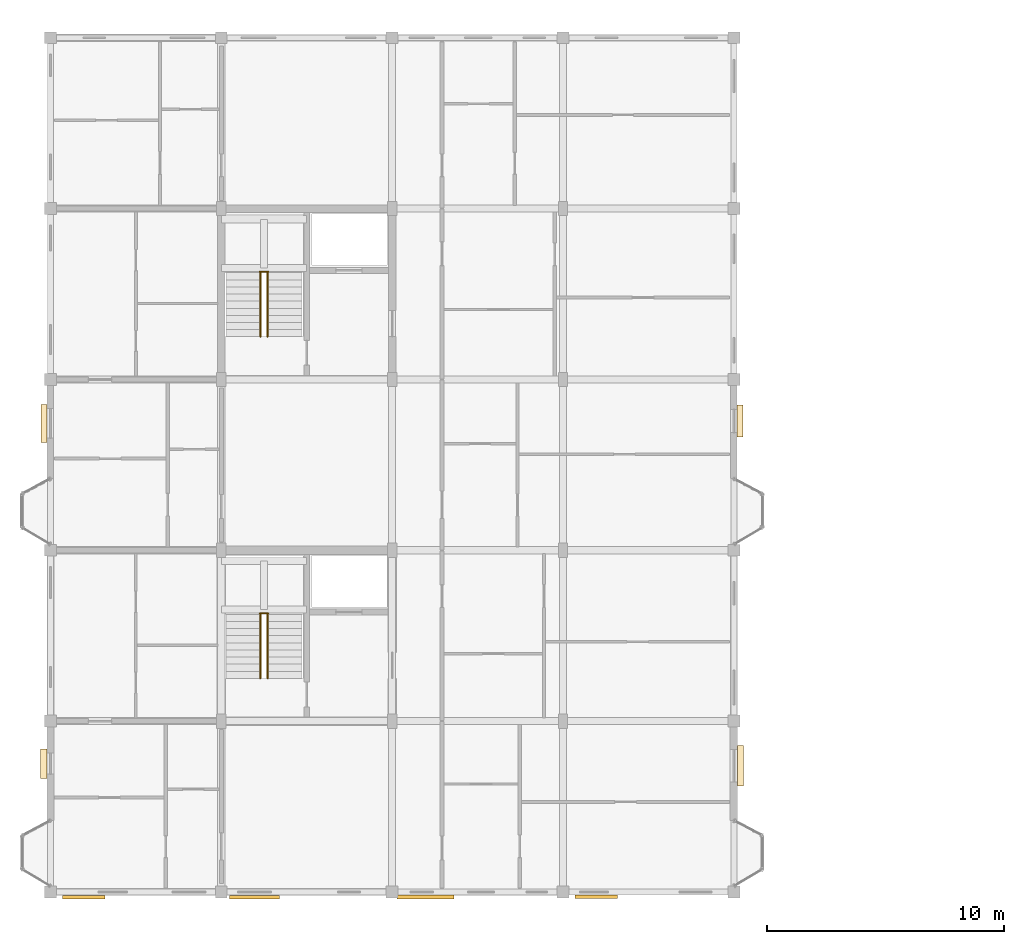
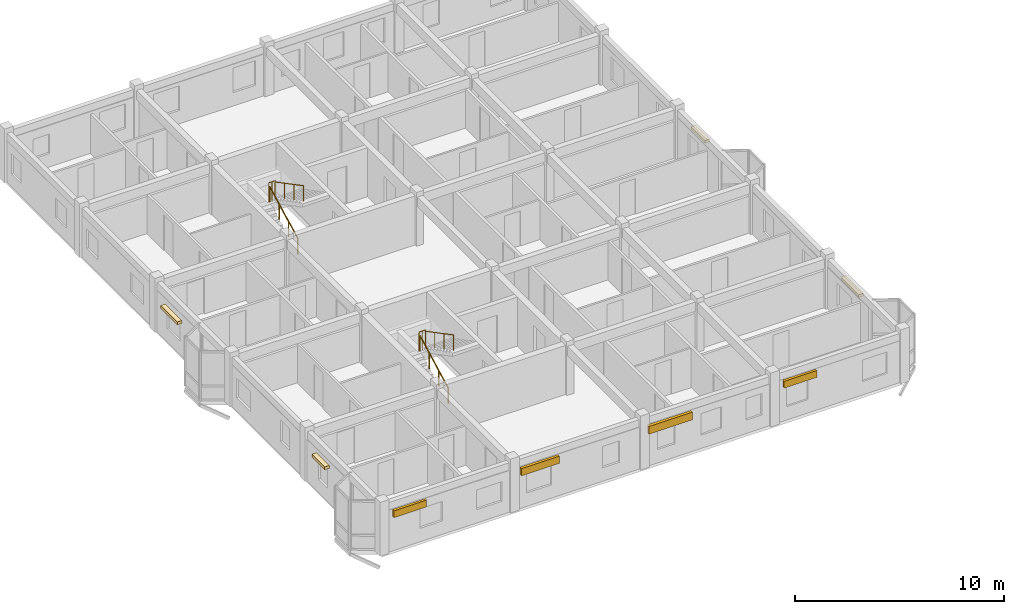
# One storey, part 62 of 65: 6 railings, 4 coverings, 4 shading devices.
"""IFC4 building model written with IfcOpenShell, lengths in metres."""

from ifc_helpers import new_model, si_unit, direction, frame, origin, origin_2d, place, context, subcontext, project, spatial, rectangle, circle, extrude, material, layer, layer_set, type_object, element, save


model = new_model("IFC4")

# Units and contexts
model_context = context("Model", 3, precision=1e-05, world=origin(), true_north=direction((0.0, 1.0)))
body_context = subcontext(model_context, "Body", "Model", "MODEL_VIEW")
ifc_project = project(units=[si_unit("LENGTHUNIT", "METRE"), si_unit("AREAUNIT", "SQUARE_METRE"), si_unit("VOLUMEUNIT", "CUBIC_METRE"), si_unit("PLANEANGLEUNIT", "RADIAN"), si_unit("MASSUNIT", "GRAM", prefix="KILO"), si_unit("THERMODYNAMICTEMPERATUREUNIT", "KELVIN"), si_unit("POWERUNIT", "WATT")], contexts=[model_context])

# Site, building, storey
site_placement = place(None, origin())
site = spatial("IfcSite", under=ifc_project, at=site_placement, CompositionType="ELEMENT")
building_placement = place(site_placement, origin())
building = spatial("IfcBuilding", under=site, at=building_placement, Name="Tavuni Mirador Residences", CompositionType="ELEMENT")
storey_placement = place(building_placement, frame((0.0, 0.0, 29.699951171875)))
storey = spatial("IfcBuildingStorey", under=building, at=storey_placement, Name="L09", CompositionType="ELEMENT", Elevation=29.699951171875)

# Coverings
ifc_material_1 = material(Name="Natural coral limestone", Category="masonry")
ifc_layer = layer(ifc_material_1, 0.054931640625, Name="Natural coral limestone", Category="masonry")
ifc_layer_set = layer_set([ifc_layer], Name="Natural coral limestone")
covering_type = type_object("IfcCoveringType", Name="CVT-CLAD-CORAL", PredefinedType="CLADDING", material=ifc_layer_set)
covering_1_placement = place(storey_placement, frame((32.679443359375, 12.52001953125, 2.06005859375), z_axis=(0.0, 0.0, 1.0), x_axis=(0.0, 1.0, 0.0)))
element("IfcCovering", 1, at=covering_1_placement, inside=storey, type_object=covering_type, Name="HOOD-0207", PredefinedType="CLADDING", context=body_context, shape_type="SweptSolid", body=[
    extrude(rectangle(XDim=1.719970703125, YDim=0.260009765625, at=origin_2d()), origin(), (0.0, 0.0, 1.0), 0.159912109375),
])
covering_2_placement = place(storey_placement, frame((32.66455078125, 27.044921875, 2.16015625), z_axis=(0.0, 0.0, 1.0), x_axis=(0.0, 1.0, 0.0)))
element("IfcCovering", 2, at=covering_2_placement, inside=storey, type_object=covering_type, Name="HOOD-0208", PredefinedType="CLADDING", context=body_context, shape_type="SweptSolid", body=[
    extrude(rectangle(XDim=1.340087890625, YDim=0.260009765625, at=origin_2d()), origin(), (0.0, 0.0, 1.0), 0.159912109375),
])
covering_3_placement = place(storey_placement, frame((3.33544921875, 26.949951171875, 1.9501953125), z_axis=(0.0, 0.0, 1.0), x_axis=(0.0, -1.0, 0.0)))
element("IfcCovering", 3, at=covering_3_placement, inside=storey, type_object=covering_type, Name="HOOD-0209", PredefinedType="CLADDING", context=body_context, shape_type="SweptSolid", body=[
    extrude(rectangle(XDim=1.60009765625, YDim=0.260009765625, at=origin_2d()), origin(), (0.0, 0.0, 1.0), 0.159912109375),
])
covering_4_placement = place(storey_placement, frame((3.320556640625, 12.610107421875, 2.06005859375), z_axis=(0.0, 0.0, 1.0), x_axis=(0.0, -1.0, 0.0)))
element("IfcCovering", 4, at=covering_4_placement, inside=storey, type_object=covering_type, Name="HOOD-0210", PredefinedType="CLADDING", context=body_context, shape_type="SweptSolid", body=[
    extrude(rectangle(XDim=1.239990234375, YDim=0.260009765625, at=origin_2d()), origin(), (0.0, 0.0, 1.0), 0.159912109375),
])

# Railings
ifc_material_2 = material(Name="Structural steel S355", Category="steel")
railing_type_1 = type_object("IfcRailingType", Name="RT-GR1120", PredefinedType="GUARDRAIL", material=ifc_material_2)
for number, where, name in (
    (5, (12.419921875, 18.93994140625, 1.574951171875), "GRD-HL-ST1-L09"),
    (6, (12.419921875, 33.340087890625, 1.574951171875), "GRD-HL-ST2-L09"),
):
    element("IfcRailing", number, at=place(storey_placement, frame(where)), inside=storey, type_object=railing_type_1, Name=name, PredefinedType="GUARDRAIL", context=body_context, shape_type="SweptSolid", body=[
        extrude(circle(Radius=0.02392578125, at=origin_2d()), frame((0.0, 0.0, 1.09619140625), z_axis=(1.0, 0.0, 0.0), x_axis=(0.0, 1.0, 0.0)), (0.0, 0.0, 1.0), 0.360107421875),
        extrude(circle(Radius=0.02099609375, at=origin_2d()), origin(), (0.0, 0.0, 1.0), 1.072021484375),
        extrude(circle(Radius=0.02099609375, at=origin_2d()), frame((0.18017578125, 0.0, 0.0)), (0.0, 0.0, 1.0), 1.072021484375),
        extrude(circle(Radius=0.02099609375, at=origin_2d()), frame((0.360107421875, 0.0, 0.0)), (0.0, 0.0, 1.0), 1.072021484375),
    ])
railing_type_2 = type_object("IfcRailingType", Name="RT-HR920", PredefinedType="HANDRAIL", material=ifc_material_2)
railing_1_placement = place(storey_placement, frame((12.449951171875, 16.199951171875, 0.157470703125)))
element("IfcRailing", 7, at=railing_1_placement, inside=storey, type_object=railing_type_2, Name="HR-ST1-L09-F1", PredefinedType="HANDRAIL", context=body_context, shape_type="SweptSolid", body=[
    extrude(circle(Radius=0.02392578125, at=origin_2d()), frame((0.0, 0.0, 0.89599609375), z_axis=(0.0, 0.885397079081, 0.464835468048), x_axis=(-1.0, 0.0, 0.0)), (0.0, 0.0, 1.0), 3.04931640625),
    extrude(circle(Radius=0.02099609375, at=origin_2d()), origin(), (0.0, 0.0, 1.0), 0.871826171875),
    extrude(circle(Radius=0.02099609375, at=origin_2d()), frame((0.0, 0.89990234375, 0.472412109375)), (0.0, 0.0, 1.0), 0.871826171875),
    extrude(circle(Radius=0.02099609375, at=origin_2d()), frame((0.0, 1.800048828125, 0.945068359375)), (0.0, 0.0, 1.0), 0.871826171875),
    extrude(circle(Radius=0.02099609375, at=origin_2d()), frame((0.0, 2.699951171875, 1.41748046875)), (0.0, 0.0, 1.0), 0.871826171875),
])
railing_2_placement = place(storey_placement, frame((12.75, 18.89990234375, 1.732666015625)))
element("IfcRailing", 8, at=railing_2_placement, inside=storey, type_object=railing_type_2, Name="HR-ST1-L09-F2", PredefinedType="HANDRAIL", context=body_context, shape_type="SweptSolid", body=[
    extrude(circle(Radius=0.02392578125, at=origin_2d()), frame((0.0, 0.0, 0.89599609375), z_axis=(0.0, -0.885397079081, 0.464835468048), x_axis=(1.0, 0.0, 0.0)), (0.0, 0.0, 1.0), 3.04931640625),
    extrude(circle(Radius=0.02099609375, at=origin_2d()), origin(), (0.0, 0.0, 1.0), 0.871826171875),
    extrude(circle(Radius=0.02099609375, at=origin_2d()), frame((0.0, -0.89990234375, 0.472412109375)), (0.0, 0.0, 1.0), 0.871826171875),
    extrude(circle(Radius=0.02099609375, at=origin_2d()), frame((0.0, -1.800048828125, 0.945068359375)), (0.0, 0.0, 1.0), 0.871826171875),
    extrude(circle(Radius=0.02099609375, at=origin_2d()), frame((0.0, -2.699951171875, 1.41748046875)), (0.0, 0.0, 1.0), 0.871826171875),
])
railing_3_placement = place(storey_placement, frame((12.449951171875, 30.60009765625, 0.157470703125)))
element("IfcRailing", 9, at=railing_3_placement, inside=storey, type_object=railing_type_2, Name="HR-ST2-L09-F1", PredefinedType="HANDRAIL", context=body_context, shape_type="SweptSolid", body=[
    extrude(circle(Radius=0.02392578125, at=origin_2d()), frame((0.0, 0.0, 0.89599609375), z_axis=(0.0, 0.885397079081, 0.464835468048), x_axis=(-1.0, 0.0, 0.0)), (0.0, 0.0, 1.0), 3.04931640625),
    extrude(circle(Radius=0.02099609375, at=origin_2d()), origin(), (0.0, 0.0, 1.0), 0.871826171875),
    extrude(circle(Radius=0.02099609375, at=origin_2d()), frame((0.0, 0.89990234375, 0.472412109375)), (0.0, 0.0, 1.0), 0.871826171875),
    extrude(circle(Radius=0.02099609375, at=origin_2d()), frame((0.0, 1.800048828125, 0.945068359375)), (0.0, 0.0, 1.0), 0.871826171875),
    extrude(circle(Radius=0.02099609375, at=origin_2d()), frame((0.0, 2.699951171875, 1.41748046875)), (0.0, 0.0, 1.0), 0.871826171875),
])
railing_4_placement = place(storey_placement, frame((12.75, 33.300048828125, 1.732666015625)))
element("IfcRailing", 10, at=railing_4_placement, inside=storey, type_object=railing_type_2, Name="HR-ST2-L09-F2", PredefinedType="HANDRAIL", context=body_context, shape_type="SweptSolid", body=[
    extrude(circle(Radius=0.02392578125, at=origin_2d()), frame((0.0, 0.0, 0.89599609375), z_axis=(0.0, -0.885397079081, 0.464835468048), x_axis=(1.0, 0.0, 0.0)), (0.0, 0.0, 1.0), 3.04931640625),
    extrude(circle(Radius=0.02099609375, at=origin_2d()), origin(), (0.0, 0.0, 1.0), 0.871826171875),
    extrude(circle(Radius=0.02099609375, at=origin_2d()), frame((0.0, -0.89990234375, 0.472412109375)), (0.0, 0.0, 1.0), 0.871826171875),
    extrude(circle(Radius=0.02099609375, at=origin_2d()), frame((0.0, -1.800048828125, 0.945068359375)), (0.0, 0.0, 1.0), 0.871826171875),
    extrude(circle(Radius=0.02099609375, at=origin_2d()), frame((0.0, -2.699951171875, 1.41748046875)), (0.0, 0.0, 1.0), 0.871826171875),
])

# Shading devices
ifc_material_3 = material(Name="Solid core iroko timber", Category="wood")
shading_device_type_1 = type_object("IfcShadingDeviceType", Name="SHT-LV1800", PredefinedType="JALOUSIE", material=ifc_material_3)
for number, where, z_axis, x_axis, name in (
    (11, (5.0, 6.98046875, 2.02001953125), (0.0, 0.0, 1.0), (1.0, 0.0, 0.0), "SHD-051"),
    (12, (26.60009765625, 7.005615234375, 2.02001953125), (0.0, 0.0, 1.0), (1.0, 0.0, 0.0), "SHD-054"),
):
    element("IfcShadingDevice", number, at=place(storey_placement, frame(where, z_axis=z_axis, x_axis=x_axis)), inside=storey, type_object=shading_device_type_1, Name=name, PredefinedType="JALOUSIE", context=body_context, shape_type="SweptSolid", body=[
        extrude(rectangle(XDim=1.800048828125, YDim=0.139892578125, at=origin_2d()), origin(), (0.0, 0.0, 1.0), 0.39990234375),
    ])
shading_device_type_2 = type_object("IfcShadingDeviceType", Name="SHT-LV2100", PredefinedType="JALOUSIE", material=ifc_material_3)
shading_device_1_placement = place(storey_placement, frame((12.199951171875, 6.98291015625, 2.0), z_axis=(0.0, 0.0, 1.0), x_axis=(1.0, 0.0, 0.0)))
element("IfcShadingDevice", 13, at=shading_device_1_placement, inside=storey, type_object=shading_device_type_2, Name="SHD-052", PredefinedType="JALOUSIE", context=body_context, shape_type="SweptSolid", body=[
    extrude(rectangle(XDim=2.10009765625, YDim=0.14990234375, at=origin_2d()), origin(), (0.0, 0.0, 1.0), 0.419921875),
])
shading_device_type_3 = type_object("IfcShadingDeviceType", Name="SHT-LV2400", PredefinedType="JALOUSIE", material=ifc_material_3)
shading_device_2_placement = place(storey_placement, frame((19.39990234375, 6.985595703125, 1.97021484375), z_axis=(0.0, 0.0, 1.0), x_axis=(1.0, 0.0, 0.0)))
element("IfcShadingDevice", 14, at=shading_device_2_placement, inside=storey, type_object=shading_device_type_3, Name="SHD-053", PredefinedType="JALOUSIE", context=body_context, shape_type="SweptSolid", body=[
    extrude(rectangle(XDim=2.39990234375, YDim=0.159912109375, at=origin_2d()), origin(), (0.0, 0.0, 1.0), 0.449951171875),
])

save(model, "model.ifc")
